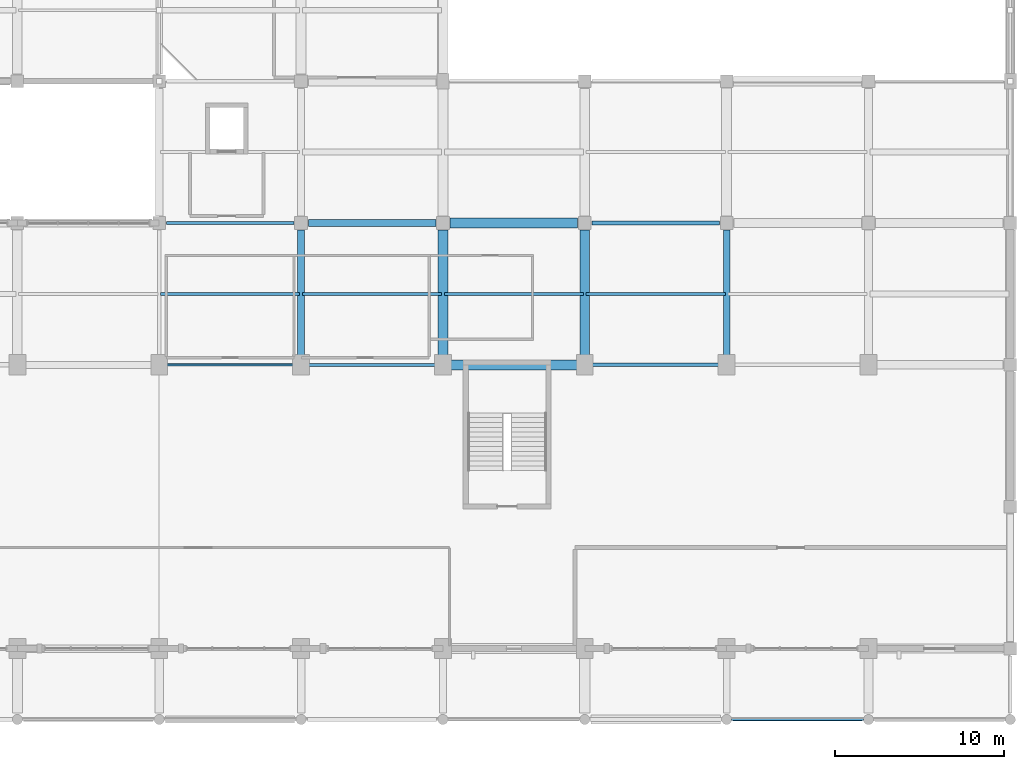
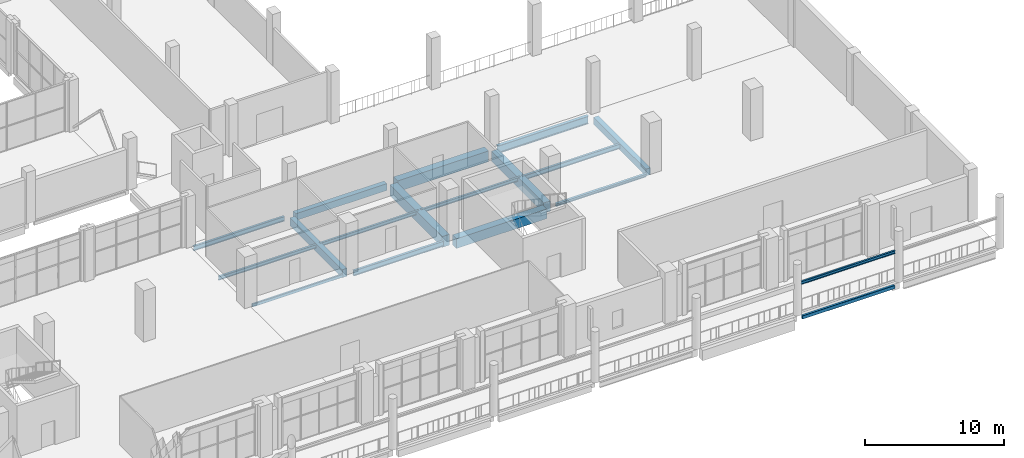
# One storey, part 42 of 75: 18 beams.
"""IFC4 building model written with IfcOpenShell, lengths in metres."""

from ifc_helpers import new_model, si_unit, derived_unit, direction, frame, origin, origin_2d, place, context, subcontext, project, spatial, rectangle, hollow_rectangle, i_section, extrude, material, material_profile, profile_set, type_object, element, save


model = new_model("IFC4")

# Units and contexts
model_context = context("Model", 3, precision=1e-05, world=origin(), true_north=direction((0.0, 1.0)))
body_context = subcontext(model_context, "Body", "Model", "MODEL_VIEW")
ifc_project = project(units=[si_unit("LENGTHUNIT", "METRE"), si_unit("AREAUNIT", "SQUARE_METRE"), si_unit("VOLUMEUNIT", "CUBIC_METRE"), si_unit("PLANEANGLEUNIT", "RADIAN"), si_unit("MASSUNIT", "GRAM", prefix="KILO"), derived_unit("THERMALTRANSMITTANCEUNIT", [(si_unit("POWERUNIT", "WATT"), 1), (si_unit("LENGTHUNIT", "METRE"), -2), (si_unit("THERMODYNAMICTEMPERATUREUNIT", "KELVIN"), -1)])], contexts=[model_context])

# Site, building, storey
site_placement = place(None, origin())
site = spatial("IfcSite", under=ifc_project, at=site_placement, CompositionType="ELEMENT")
building_placement = place(site_placement, origin())
building = spatial("IfcBuilding", under=site, at=building_placement, Name="Barrovel Congress Hotel", CompositionType="ELEMENT")
storey_placement = place(building_placement, frame((0.0, 0.0, 5.39990234375)))
storey = spatial("IfcBuildingStorey", under=building, at=storey_placement, Name="L01", CompositionType="ELEMENT", Elevation=5.39990234375)

# Beams
ifc_material_1 = material(Name="Concrete C40", Category="concrete")
ifc_material_profile_1 = material_profile(ifc_material_1, rectangle(XDim=0.39990234375, YDim=0.60009765625, at=origin_2d()), Name="RC400x600")
ifc_profile_set_1 = profile_set([ifc_material_profile_1], Name="Concrete C40")
beam_type_1 = type_object("IfcBeamType", Name="BM-RC400x600", PredefinedType="BEAM", material=ifc_profile_set_1)
beam_1_placement = place(storey_placement, frame((134.824951171875, 29.39990234375, -0.559814453125), z_axis=(1.0, 0.0, 0.0), x_axis=(0.0, 1.0, 0.0)))
element("IfcBeam", 1, at=beam_1_placement, inside=storey, type_object=beam_type_1, Name="BMX:L01:29.4:134.4-142.8", PredefinedType="BEAM", context=body_context, shape_type="SweptSolid", body=[
    extrude(rectangle(XDim=0.39990234375, YDim=0.60009765625, at=origin_2d()), origin(), (0.0, 0.0, 1.0), 7.550048828125),
])
beam_2_placement = place(storey_placement, frame((159.60009765625, 21.449951171875, -0.559814453125), z_axis=(0.0, 1.0, 0.0), x_axis=(-1.0, 0.0, 0.0)))
element("IfcBeam", 2, at=beam_2_placement, inside=storey, type_object=beam_type_1, Name="BMY:L01:159.6:21.0-29.4", PredefinedType="BEAM", context=body_context, shape_type="SweptSolid", body=[
    extrude(rectangle(XDim=0.39990234375, YDim=0.60009765625, at=origin_2d()), origin(), (0.0, 0.0, 1.0), 7.525146484375),
])
ifc_material_profile_2 = material_profile(ifc_material_1, rectangle(XDim=0.39990234375, YDim=0.699951171875, at=origin_2d()), Name="RC400x700")
ifc_profile_set_2 = profile_set([ifc_material_profile_2], Name="Concrete C40")
beam_type_2 = type_object("IfcBeamType", Name="BM-RC400x700", PredefinedType="BEAM", material=ifc_profile_set_2)
beam_3_placement = place(storey_placement, frame((134.39990234375, 21.449951171875, -0.60986328125), z_axis=(0.0, 1.0, 0.0), x_axis=(-1.0, 0.0, 0.0)))
element("IfcBeam", 3, at=beam_3_placement, inside=storey, type_object=beam_type_2, Name="BMY:L01:134.4:21.0-29.4", PredefinedType="BEAM", context=body_context, shape_type="SweptSolid", body=[
    extrude(rectangle(XDim=0.39990234375, YDim=0.699951171875, at=origin_2d()), origin(), (0.0, 0.0, 1.0), 7.525146484375),
])
ifc_material_profile_3 = material_profile(ifc_material_1, rectangle(XDim=0.550048828125, YDim=0.89990234375, at=origin_2d()), Name="RC550x900")
ifc_profile_set_3 = profile_set([ifc_material_profile_3], Name="Concrete C40")
beam_type_3 = type_object("IfcBeamType", Name="BM-RC550x900", PredefinedType="BEAM", material=ifc_profile_set_3)
beam_4_placement = place(storey_placement, frame((151.199951171875, 21.449951171875, -0.7099609375), z_axis=(0.0, 1.0, 0.0), x_axis=(-1.0, 0.0, 0.0)))
element("IfcBeam", 4, at=beam_4_placement, inside=storey, type_object=beam_type_3, Name="BMY:L01:151.2:21.0-29.4", PredefinedType="BEAM", context=body_context, shape_type="SweptSolid", body=[
    extrude(rectangle(XDim=0.550048828125, YDim=0.89990234375, at=origin_2d()), origin(), (0.0, 0.0, 1.0), 7.525146484375),
])
ifc_material_profile_4 = material_profile(ifc_material_1, rectangle(XDim=0.60009765625, YDim=0.85009765625, at=origin_2d()), Name="RC600x850")
ifc_profile_set_4 = profile_set([ifc_material_profile_4], Name="Concrete C40")
beam_type_4 = type_object("IfcBeamType", Name="BM-RC600x850", PredefinedType="BEAM", material=ifc_profile_set_4)
beam_5_placement = place(storey_placement, frame((143.25, 21.0, -0.684814453125), z_axis=(1.0, 0.0, 0.0), x_axis=(0.0, 1.0, 0.0)))
element("IfcBeam", 5, at=beam_5_placement, inside=storey, type_object=beam_type_4, Name="BMX:L01:21.0:142.8-151.2", PredefinedType="BEAM", context=body_context, shape_type="SweptSolid", body=[
    extrude(rectangle(XDim=0.60009765625, YDim=0.85009765625, at=origin_2d()), origin(), (0.0, 0.0, 1.0), 7.5),
])
ifc_material_profile_5 = material_profile(ifc_material_1, rectangle(XDim=0.60009765625, YDim=0.949951171875, at=origin_2d()), Name="RC600x950")
ifc_profile_set_5 = profile_set([ifc_material_profile_5], Name="Concrete C40")
beam_type_5 = type_object("IfcBeamType", Name="BM-RC600x950", PredefinedType="BEAM", material=ifc_profile_set_5)
beam_6_placement = place(storey_placement, frame((143.22509765625, 29.39990234375, -0.73486328125), z_axis=(1.0, 0.0, 0.0), x_axis=(0.0, 1.0, 0.0)))
element("IfcBeam", 6, at=beam_6_placement, inside=storey, type_object=beam_type_5, Name="BMX:L01:29.4:142.8-151.2", PredefinedType="BEAM", context=body_context, shape_type="SweptSolid", body=[
    extrude(rectangle(XDim=0.60009765625, YDim=0.949951171875, at=origin_2d()), origin(), (0.0, 0.0, 1.0), 7.5498046875),
])
beam_7_placement = place(storey_placement, frame((142.800048828125, 21.449951171875, -0.73486328125), z_axis=(0.0, 1.0, 0.0), x_axis=(-1.0, 0.0, 0.0)))
element("IfcBeam", 7, at=beam_7_placement, inside=storey, type_object=beam_type_5, Name="BMY:L01:142.8:21.0-29.4", PredefinedType="BEAM", context=body_context, shape_type="SweptSolid", body=[
    extrude(rectangle(XDim=0.60009765625, YDim=0.949951171875, at=origin_2d()), origin(), (0.0, 0.0, 1.0), 7.525146484375),
])
ifc_material_2 = material(Name="Steel ASTM A500 Grade C", Category="steel")
ifc_material_profile_6 = material_profile(ifc_material_2, hollow_rectangle(XDim=0.15234375, YDim=0.25390625, WallThickness=0.0087890625, InnerFilletRadius=0.0087890625, OuterFilletRadius=0.017578125, at=origin_2d()), Name="HSS254x152x9.5")
ifc_profile_set_6 = profile_set([ifc_material_profile_6], Name="Steel ASTM A500 Grade C")
beam_type_6 = type_object("IfcBeamType", Name="SBM-HSS254x152x9.5", PredefinedType="SPANDREL", material=ifc_profile_set_6)
beam_8_placement = place(storey_placement, frame((126.449951171875, 21.0, -0.386962890625), z_axis=(1.0, 0.0, 0.0), x_axis=(0.0, 1.0, 0.0)))
element("IfcBeam", 8, at=beam_8_placement, inside=storey, type_object=beam_type_6, Name="BMX:L01:21.0:126.0-134.4", PredefinedType="SPANDREL", context=body_context, shape_type="SweptSolid", body=[
    extrude(hollow_rectangle(XDim=0.15234375, YDim=0.25390625, WallThickness=0.0087890625, InnerFilletRadius=0.0087890625, OuterFilletRadius=0.017578125, at=origin_2d()), origin(), (0.0, 0.0, 1.0), 7.5),
])
ifc_material_profile_7 = material_profile(ifc_material_2, hollow_rectangle(XDim=0.203125, YDim=0.3046875, WallThickness=0.01171875, InnerFilletRadius=0.01171875, OuterFilletRadius=0.023681640625, at=origin_2d()), Name="HSS305x203x12.7")
ifc_profile_set_7 = profile_set([ifc_material_profile_7], Name="Steel ASTM A500 Grade C")
beam_type_7 = type_object("IfcBeamType", Name="SBM-HSS305x203x12.7", PredefinedType="SPANDREL", material=ifc_profile_set_7)
beam_9_placement = place(storey_placement, frame((159.97509765625, 0.0, -0.412353515625), z_axis=(1.0, 0.0, 0.0), x_axis=(0.0, 1.0, 0.0)))
element("IfcBeam", 9, at=beam_9_placement, inside=storey, type_object=beam_type_7, Name="BMX:L01:0.0:159.6-168.0", PredefinedType="SPANDREL", context=body_context, shape_type="SweptSolid", body=[
    extrude(hollow_rectangle(XDim=0.203125, YDim=0.3046875, WallThickness=0.01171875, InnerFilletRadius=0.01171875, OuterFilletRadius=0.023681640625, at=origin_2d()), origin(), (0.0, 0.0, 1.0), 7.64990234375),
])
ifc_material_3 = material(Name="Steel ASTM A992 Grade 50", Category="steel")
ifc_material_profile_8 = material_profile(ifc_material_3, i_section(OverallWidth=0.14599609375, OverallDepth=0.258056640625, WebThickness=0.006103515625, FlangeThickness=0.009033203125, FilletRadius=0.010009765625, at=origin_2d()), Name="W250x33")
ifc_profile_set_8 = profile_set([ifc_material_profile_8], Name="Steel ASTM A992 Grade 50")
beam_type_8 = type_object("IfcBeamType", Name="SBM-W250x33", PredefinedType="LINTEL", material=ifc_profile_set_8)
beam_10_placement = place(storey_placement, frame((159.89990234375, 0.0, 2.62109375), z_axis=(1.0, 0.0, 0.0), x_axis=(0.0, 1.0, 0.0)))
element("IfcBeam", 10, at=beam_10_placement, inside=storey, type_object=beam_type_8, Name="LIN:L01:159.6-168.0", PredefinedType="LINTEL", context=body_context, shape_type="SweptSolid", body=[
    extrude(i_section(OverallWidth=0.14599609375, OverallDepth=0.258056640625, WebThickness=0.006103515625, FlangeThickness=0.009033203125, FilletRadius=0.010009765625, at=origin_2d()), origin(), (0.0, 0.0, 1.0), 7.800048828125),
])
ifc_material_profile_9 = material_profile(ifc_material_3, i_section(OverallWidth=0.201904296875, OverallDepth=0.2470703125, WebThickness=0.00732421875, FlangeThickness=0.010986328125, FilletRadius=0.011962890625, at=origin_2d()), Name="W250x49")
ifc_profile_set_9 = profile_set([ifc_material_profile_9], Name="Steel ASTM A992 Grade 50")
beam_type_9 = type_object("IfcBeamType", Name="SBM-W250x49", PredefinedType="SPANDREL", material=ifc_profile_set_9)
beam_11_placement = place(storey_placement, frame((151.64990234375, 21.0, -0.38330078125), z_axis=(1.0, 0.0, 0.0), x_axis=(0.0, 1.0, 0.0)))
element("IfcBeam", 11, at=beam_11_placement, inside=storey, type_object=beam_type_9, Name="BMX:L01:21.0:151.2-159.6", PredefinedType="SPANDREL", context=body_context, shape_type="SweptSolid", body=[
    extrude(i_section(OverallWidth=0.201904296875, OverallDepth=0.2470703125, WebThickness=0.00732421875, FlangeThickness=0.010986328125, FilletRadius=0.011962890625, at=origin_2d()), origin(), (0.0, 0.0, 1.0), 7.5),
])
ifc_material_profile_10 = material_profile(ifc_material_3, i_section(OverallWidth=0.1650390625, OverallDepth=0.31005859375, WebThickness=0.005859375, FlangeThickness=0.009765625, FilletRadius=0.010986328125, at=origin_2d()), Name="W310x39")
ifc_profile_set_10 = profile_set([ifc_material_profile_10], Name="Steel ASTM A992 Grade 50")
beam_type_10 = type_object("IfcBeamType", Name="SBM-W310x39", PredefinedType="JOIST", material=ifc_profile_set_10)
beam_12_placement = place(storey_placement, frame((134.47998046875, 25.199951171875, -0.414794921875), z_axis=(1.0, 0.0, 0.0), x_axis=(0.0, 1.0, 0.0)))
element("IfcBeam", 12, at=beam_12_placement, inside=storey, type_object=beam_type_10, Name="JST:L01:134.4:25.2", PredefinedType="JOIST", context=body_context, shape_type="SweptSolid", body=[
    extrude(i_section(OverallWidth=0.1650390625, OverallDepth=0.31005859375, WebThickness=0.005859375, FlangeThickness=0.009765625, FilletRadius=0.010986328125, at=origin_2d()), origin(), (0.0, 0.0, 1.0), 8.239990234375),
])
beam_13_placement = place(storey_placement, frame((142.8798828125, 25.199951171875, -0.414794921875), z_axis=(1.0, 0.0, 0.0), x_axis=(0.0, 1.0, 0.0)))
element("IfcBeam", 13, at=beam_13_placement, inside=storey, type_object=beam_type_10, Name="JST:L01:142.8:25.2", PredefinedType="JOIST", context=body_context, shape_type="SweptSolid", body=[
    extrude(i_section(OverallWidth=0.1650390625, OverallDepth=0.31005859375, WebThickness=0.005859375, FlangeThickness=0.009765625, FilletRadius=0.010986328125, at=origin_2d()), origin(), (0.0, 0.0, 1.0), 8.240234375),
])
ifc_material_profile_11 = material_profile(ifc_material_3, i_section(OverallWidth=0.1669921875, OverallDepth=0.31689453125, WebThickness=0.007568359375, FlangeThickness=0.01318359375, FilletRadius=0.010986328125, at=origin_2d()), Name="W310x52")
ifc_profile_set_11 = profile_set([ifc_material_profile_11], Name="Steel ASTM A992 Grade 50")
beam_type_11 = type_object("IfcBeamType", Name="SBM-W310x52", PredefinedType="JOIST", material=ifc_profile_set_11)
beam_14_placement = place(storey_placement, frame((126.080078125, 25.199951171875, -0.41845703125), z_axis=(1.0, 0.0, 0.0), x_axis=(0.0, 1.0, 0.0)))
element("IfcBeam", 14, at=beam_14_placement, inside=storey, type_object=beam_type_11, Name="JST:L01:126.0:25.2", PredefinedType="JOIST", context=body_context, shape_type="SweptSolid", body=[
    extrude(i_section(OverallWidth=0.1669921875, OverallDepth=0.31689453125, WebThickness=0.007568359375, FlangeThickness=0.01318359375, FilletRadius=0.010986328125, at=origin_2d()), origin(), (0.0, 0.0, 1.0), 8.239990234375),
])
ifc_material_profile_12 = material_profile(ifc_material_3, i_section(OverallWidth=0.177001953125, OverallDepth=0.403076171875, WebThickness=0.007568359375, FlangeThickness=0.010986328125, FilletRadius=0.011962890625, at=origin_2d()), Name="W410x53")
ifc_profile_set_12 = profile_set([ifc_material_profile_12], Name="Steel ASTM A992 Grade 50")
beam_type_12 = type_object("IfcBeamType", Name="SBM-W410x53", PredefinedType="JOIST", material=ifc_profile_set_12)
beam_15_placement = place(storey_placement, frame((151.280029296875, 25.199951171875, -0.46142578125), z_axis=(1.0, 0.0, 0.0), x_axis=(0.0, 1.0, 0.0)))
element("IfcBeam", 15, at=beam_15_placement, inside=storey, type_object=beam_type_12, Name="JST:L01:151.2:25.2", PredefinedType="JOIST", context=body_context, shape_type="SweptSolid", body=[
    extrude(i_section(OverallWidth=0.177001953125, OverallDepth=0.403076171875, WebThickness=0.007568359375, FlangeThickness=0.010986328125, FilletRadius=0.011962890625, at=origin_2d()), origin(), (0.0, 0.0, 1.0), 8.239990234375),
])
ifc_material_profile_13 = material_profile(ifc_material_3, i_section(OverallWidth=0.178955078125, OverallDepth=0.409912109375, WebThickness=0.0087890625, FlangeThickness=0.014404296875, FilletRadius=0.011962890625, at=origin_2d()), Name="W410x67")
ifc_profile_set_13 = profile_set([ifc_material_profile_13], Name="Steel ASTM A992 Grade 50")
beam_type_13 = type_object("IfcBeamType", Name="SBM-W410x67", PredefinedType="BEAM", material=ifc_profile_set_13)
beam_16_placement = place(storey_placement, frame((126.425048828125, 29.39990234375, -0.46484375), z_axis=(1.0, 0.0, 0.0), x_axis=(0.0, 1.0, 0.0)))
element("IfcBeam", 16, at=beam_16_placement, inside=storey, type_object=beam_type_13, Name="BMX:L01:29.4:126.0-134.4", PredefinedType="BEAM", context=body_context, shape_type="SweptSolid", body=[
    extrude(i_section(OverallWidth=0.178955078125, OverallDepth=0.409912109375, WebThickness=0.0087890625, FlangeThickness=0.014404296875, FilletRadius=0.011962890625, at=origin_2d()), origin(), (0.0, 0.0, 1.0), 7.550048828125),
])
ifc_material_profile_14 = material_profile(ifc_material_3, i_section(OverallWidth=0.19091796875, OverallDepth=0.4599609375, WebThickness=0.010009765625, FlangeThickness=0.01611328125, FilletRadius=0.012939453125, at=origin_2d()), Name="W460x82")
ifc_profile_set_14 = profile_set([ifc_material_profile_14], Name="Steel ASTM A992 Grade 50")
beam_type_14 = type_object("IfcBeamType", Name="SBM-W460x82", PredefinedType="BEAM", material=ifc_profile_set_14)
beam_17_placement = place(storey_placement, frame((134.85009765625, 21.0, -0.489990234375), z_axis=(1.0, 0.0, 0.0), x_axis=(0.0, 1.0, 0.0)))
element("IfcBeam", 17, at=beam_17_placement, inside=storey, type_object=beam_type_14, Name="BMX:L01:21.0:134.4-142.8", PredefinedType="BEAM", context=body_context, shape_type="SweptSolid", body=[
    extrude(i_section(OverallWidth=0.19091796875, OverallDepth=0.4599609375, WebThickness=0.010009765625, FlangeThickness=0.01611328125, FilletRadius=0.012939453125, at=origin_2d()), origin(), (0.0, 0.0, 1.0), 7.5),
])
ifc_material_profile_15 = material_profile(ifc_material_3, i_section(OverallWidth=0.25390625, OverallDepth=0.68408203125, WebThickness=0.012451171875, FlangeThickness=0.01904296875, FilletRadius=0.014892578125, at=origin_2d()), Name="W690x140")
ifc_profile_set_15 = profile_set([ifc_material_profile_15], Name="Steel ASTM A992 Grade 50")
beam_type_15 = type_object("IfcBeamType", Name="SBM-W690x140", PredefinedType="BEAM", material=ifc_profile_set_15)
beam_18_placement = place(storey_placement, frame((151.625, 29.39990234375, -0.601806640625), z_axis=(1.0, 0.0, 0.0), x_axis=(0.0, 1.0, 0.0)))
element("IfcBeam", 18, at=beam_18_placement, inside=storey, type_object=beam_type_15, Name="BMX:L01:29.4:151.2-159.6", PredefinedType="BEAM", context=body_context, shape_type="SweptSolid", body=[
    extrude(i_section(OverallWidth=0.25390625, OverallDepth=0.68408203125, WebThickness=0.012451171875, FlangeThickness=0.01904296875, FilletRadius=0.014892578125, at=origin_2d()), origin(), (0.0, 0.0, 1.0), 7.550048828125),
])

save(model, "model.ifc")
